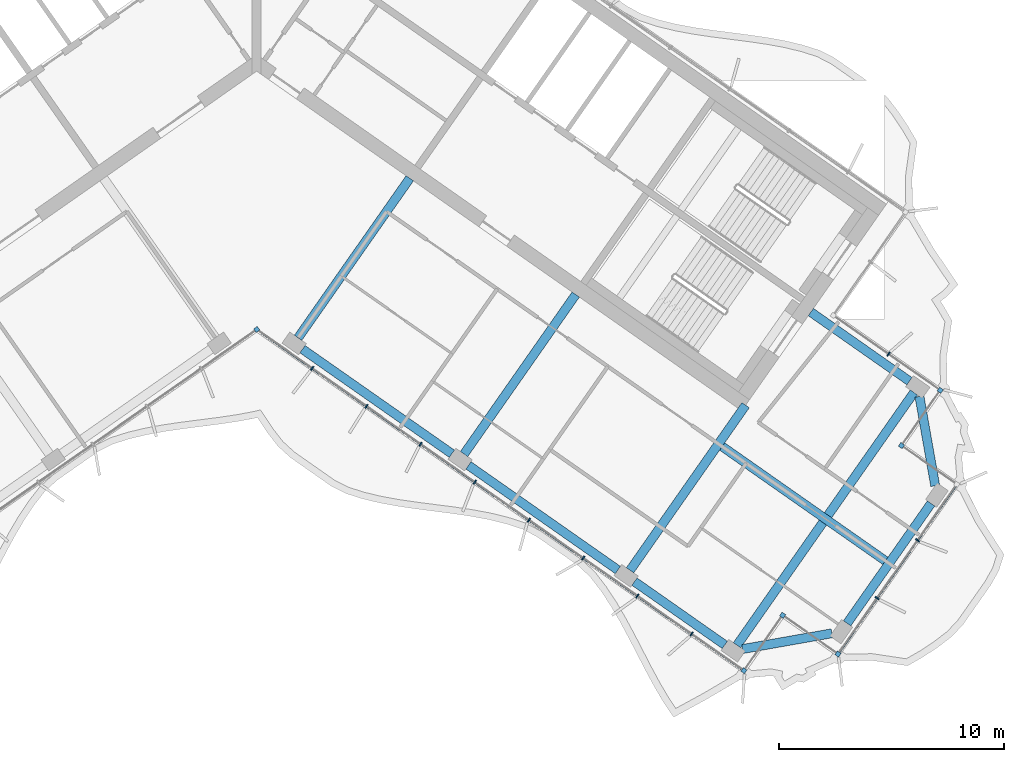
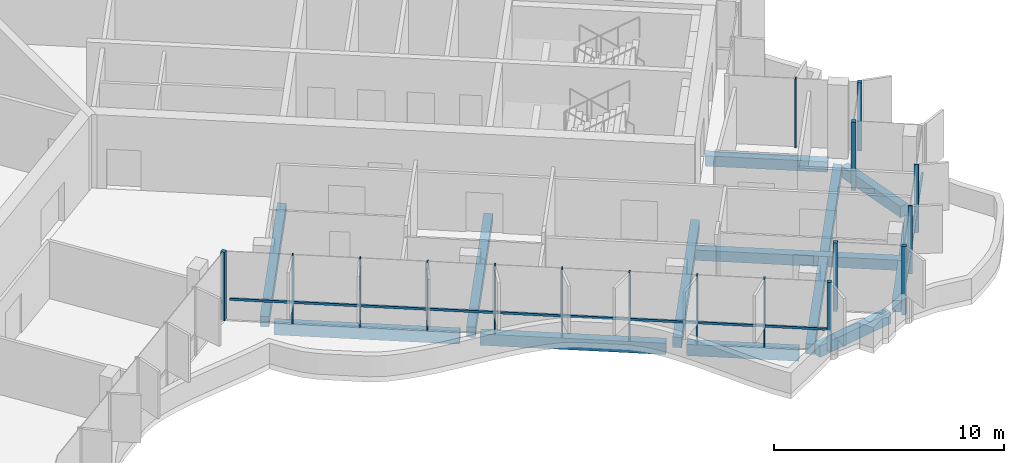
# One storey, part 4 of 18: 19 members, 12 beams, 1 element without a shape of its own.
"""IFC4 building model written with IfcOpenShell, lengths in metres."""

from ifc_helpers import new_model, si_unit, direction, frame, origin, origin_2d, place, context, subcontext, project, spatial, rectangle, extrude, material, material_profile, profile_set, type_object, element, aggregate, save


model = new_model("IFC4")

# Units and contexts
model_context = context("Model", 3, precision=1e-05, world=origin(), true_north=direction((0.0, 1.0)))
body_context = subcontext(model_context, "Body", "Model", "MODEL_VIEW")
ifc_project = project(units=[si_unit("LENGTHUNIT", "METRE"), si_unit("AREAUNIT", "SQUARE_METRE"), si_unit("VOLUMEUNIT", "CUBIC_METRE"), si_unit("PLANEANGLEUNIT", "RADIAN"), si_unit("MASSUNIT", "GRAM", prefix="KILO")], contexts=[model_context])

# Site, building, storey
site_placement = place(None, origin())
site = spatial("IfcSite", under=ifc_project, at=site_placement, CompositionType="ELEMENT")
building_placement = place(site_placement, origin())
building = spatial("IfcBuilding", under=site, at=building_placement, Name="Tel Ilan Convention Tower", CompositionType="ELEMENT")
storey_placement = place(building_placement, frame((0.0, 0.0, 260.5)))
storey = spatial("IfcBuildingStorey", under=building, at=storey_placement, Name="L61", CompositionType="ELEMENT", Elevation=260.5)

# Beams
ifc_material_1 = material(Name="Concrete C40/50", Category="concrete")
ifc_material_profile_1 = material_profile(ifc_material_1, rectangle(XDim=0.39990234375, YDim=0.550048828125, at=origin_2d()), Name="RC 400x550")
ifc_profile_set_1 = profile_set([ifc_material_profile_1], Name="Concrete C40/50")
beam_type_1 = type_object("IfcBeamType", Name="Beam RC 400x550 Concrete C40/50", PredefinedType="BEAM", material=ifc_profile_set_1)
beam_1_placement = place(storey_placement, frame((28.99462890625, -14.991943359375, -0.554931640625), z_axis=(-0.819146154531, 0.573584847705, 0.0), x_axis=(-0.573584847705, -0.819146154531, 0.0)))
element("IfcBeam", 1, at=beam_1_placement, inside=storey, type_object=beam_type_1, Name="L61 beam E-E-BC-core", PredefinedType="BEAM", context=body_context, shape_type="SweptSolid", body=[
    extrude(rectangle(XDim=0.39990234375, YDim=0.550048828125, at=origin_2d()), origin(), (0.0, 0.0, 1.0), 5.349853515625),
])
for number, where, z_axis, x_axis, name in (
    (2, (1.83740234375, -13.06689453125, -0.554931640625), (0.573574099654, 0.819153680457, 0.0), (-0.819153680457, 0.573574099654, 0.0), "L61 beam E-E-F1-core"),
    (3, (9.209716796875, -18.229248046875, -0.554931640625), (0.573574099654, 0.819153680457, 0.0), (-0.819153680457, 0.573574099654, 0.0), "L61 beam E-E-F2-core"),
):
    element("IfcBeam", number, at=place(storey_placement, frame(where, z_axis=z_axis, x_axis=x_axis)), inside=storey, type_object=beam_type_1, Name=name, PredefinedType="BEAM", context=body_context, shape_type="SweptSolid", body=[
        extrude(rectangle(XDim=0.39990234375, YDim=0.550048828125, at=origin_2d()), origin(), (0.0, 0.0, 1.0), 8.64990234375),
    ])
beam_2_placement = place(storey_placement, frame((16.58203125, -23.391357421875, -0.554931640625), z_axis=(0.573584999642, 0.819146048141, 0.0), x_axis=(-0.819146048141, 0.573584999642, 0.0)))
element("IfcBeam", 4, at=beam_2_placement, inside=storey, type_object=beam_type_1, Name="L61 beam E-E-F3-core", PredefinedType="BEAM", context=body_context, shape_type="SweptSolid", body=[
    extrude(rectangle(XDim=0.39990234375, YDim=0.550048828125, at=origin_2d()), origin(), (0.0, 0.0, 1.0), 8.949951171875),
])
beam_3_placement = place(storey_placement, frame((20.6748046875, -17.89501953125, -0.554931640625), z_axis=(0.819162208319, -0.573561920338, 0.0), x_axis=(0.573561920338, 0.819162208319, 0.0)))
element("IfcBeam", 5, at=beam_3_placement, inside=storey, type_object=beam_type_1, Name="L61 beam E-core-end", PredefinedType="BEAM", context=body_context, shape_type="SweptSolid", body=[
    extrude(rectangle(XDim=0.39990234375, YDim=0.550048828125, at=origin_2d()), origin(), (0.0, 0.0, 1.0), 9.0498046875),
])
beam_4_placement = place(storey_placement, frame((21.333251953125, -26.718017578125, -0.554931640625), z_axis=(0.57357117602, 0.819155727587, 0.0), x_axis=(-0.819155727587, 0.57357117602, 0.0)))
element("IfcBeam", 6, at=beam_4_placement, inside=storey, type_object=beam_type_1, Name="L61 beam E-E-FC-E-BC", PredefinedType="BEAM", context=body_context, shape_type="SweptSolid", body=[
    extrude(rectangle(XDim=0.39990234375, YDim=0.550048828125, at=origin_2d()), origin(), (0.0, 0.0, 1.0), 13.699951171875),
])
ifc_material_2 = material(Name="Concrete C40/50", Category="concrete")
ifc_material_profile_2 = material_profile(ifc_material_2, rectangle(XDim=0.39990234375, YDim=0.60009765625, at=origin_2d()), Name="RC 400x600")
ifc_profile_set_2 = profile_set([ifc_material_profile_2], Name="Concrete C40/50")
beam_type_2 = type_object("IfcBeamType", Name="Beam RC 400x600 Concrete C40/50", PredefinedType="BEAM", material=ifc_profile_set_2)
beam_5_placement = place(storey_placement, frame((2.033935546875, -13.57080078125, -0.580078125), z_axis=(0.81914553362, -0.573585734437, 0.0), x_axis=(0.573585734437, 0.81914553362, 0.0)))
element("IfcBeam", 7, at=beam_5_placement, inside=storey, type_object=beam_type_2, Name="L61 beam E-E-F1-E-F2", PredefinedType="BEAM", context=body_context, shape_type="SweptSolid", body=[
    extrude(rectangle(XDim=0.39990234375, YDim=0.60009765625, at=origin_2d()), origin(), (0.0, 0.0, 1.0), 8.099853515625),
])
beam_6_placement = place(storey_placement, frame((9.40625, -18.73291015625, -0.580078125), z_axis=(0.819155449703, -0.573571572885, 0.0), x_axis=(0.573571572885, 0.819155449703, 0.0)))
element("IfcBeam", 8, at=beam_6_placement, inside=storey, type_object=beam_type_2, Name="L61 beam E-E-F2-E-F3", PredefinedType="BEAM", context=body_context, shape_type="SweptSolid", body=[
    extrude(rectangle(XDim=0.39990234375, YDim=0.60009765625, at=origin_2d()), origin(), (0.0, 0.0, 1.0), 8.10009765625),
])
beam_7_placement = place(storey_placement, frame((16.778564453125, -23.895263671875, -0.580078125), z_axis=(0.819154669329, -0.573572687386, 0.0), x_axis=(0.573572687386, 0.819154669329, 0.0)))
element("IfcBeam", 9, at=beam_7_placement, inside=storey, type_object=beam_type_2, Name="L61 beam E-E-F3-E-FC", PredefinedType="BEAM", context=body_context, shape_type="SweptSolid", body=[
    extrude(rectangle(XDim=0.39990234375, YDim=0.60009765625, at=origin_2d()), origin(), (0.0, 0.0, 1.0), 4.900146484375),
])
beam_8_placement = place(storey_placement, frame((21.578857421875, -26.89013671875, -0.580078125), z_axis=(0.984804894423, 0.173664388751, 0.0), x_axis=(-0.173664388751, 0.984804894423, 0.0)))
element("IfcBeam", 10, at=beam_8_placement, inside=storey, type_object=beam_type_2, Name="L61 beam E-E-FC-E-E1", PredefinedType="BEAM", context=body_context, shape_type="SweptSolid", body=[
    extrude(rectangle(XDim=0.39990234375, YDim=0.60009765625, at=origin_2d()), origin(), (0.0, 0.0, 1.0), 4.030517578125),
])
beam_9_placement = place(storey_placement, frame((26.22412109375, -25.748046875, -0.580078125), z_axis=(0.573580816643, 0.819148977158, 0.0), x_axis=(-0.819148977158, 0.573580816643, 0.0)))
element("IfcBeam", 11, at=beam_9_placement, inside=storey, type_object=beam_type_2, Name="L61 beam E-E-E1-E-E2", PredefinedType="BEAM", context=body_context, shape_type="SweptSolid", body=[
    extrude(rectangle(XDim=0.39990234375, YDim=0.60009765625, at=origin_2d()), origin(), (0.0, 0.0, 1.0), 6.5),
])
beam_10_placement = place(storey_placement, frame((30.13671875, -19.63720703125, -0.580078125), z_axis=(-0.173595285393, 0.984817077883, 0.0), x_axis=(-0.984817077883, -0.173595285393, 0.0)))
element("IfcBeam", 12, at=beam_10_placement, inside=storey, type_object=beam_type_2, Name="L61 beam E-E-E2-E-BC", PredefinedType="BEAM", context=body_context, shape_type="SweptSolid", body=[
    extrude(rectangle(XDim=0.39990234375, YDim=0.60009765625, at=origin_2d()), origin(), (0.0, 0.0, 1.0), 4.03076171875),
])

# Curtain wall, members
ifc_material_3 = material(Name="Aluminium, bronze anodised", Category="aluminium")
curtain_wall_type = type_object("IfcCurtainWallType", Name="CW5 STICK CURTAIN WALL, UPPER OFFICE LOW-IRON TINTED GLASS", PredefinedType="NOTDEFINED", material=ifc_material_3)
curtain_wall_placement = place(storey_placement, origin())
curtain_wall = element("IfcCurtainWall", 13, at=curtain_wall_placement, inside=storey, type_object=curtain_wall_type, Name="Curtain wall CW5-46.02", PredefinedType="NOTDEFINED")
ifc_material_4 = material(Name="Aluminium, bronze anodised", Category="aluminium")
ifc_material_profile_3 = material_profile(ifc_material_4, rectangle(XDim=0.199951171875, YDim=0.199951171875, at=origin_2d()), Name="CW CORNER MULLION 200x200")
ifc_profile_set_3 = profile_set([ifc_material_profile_3], Name="Aluminium, bronze anodised")
member_type_1 = type_object("IfcMemberType", Name="CW CORNER MULLION 200x200", PredefinedType="MULLION", material=ifc_profile_set_3)
member_1_placement = place(storey_placement, frame((0.0, -12.696044921875, 0.0), z_axis=(0.0, 0.0, 1.0), x_axis=(0.819152044289, 0.573576436351, 0.0)))
member_1 = element("IfcMember", 14, at=member_1_placement, type_object=member_type_1, Name="Corner mullion", PredefinedType="MULLION", context=body_context, shape_type="SweptSolid", body=[
    extrude(rectangle(XDim=0.199951171875, YDim=0.199951171875, at=origin_2d()), origin(), (0.0, 0.0, 1.0), 3.6201171875),
])
member_2_placement = place(storey_placement, frame((21.64013671875, -27.8486328125, 0.0), z_axis=(0.0, 0.0, 1.0), x_axis=(0.819152044289, -0.573576436351, 0.0)))
member_2 = element("IfcMember", 15, at=member_2_placement, type_object=member_type_1, Name="Corner mullion", PredefinedType="MULLION", context=body_context, shape_type="SweptSolid", body=[
    extrude(rectangle(XDim=0.199951171875, YDim=0.199951171875, at=origin_2d()), origin(), (0.0, 0.0, 1.0), 3.6201171875),
])
member_3_placement = place(storey_placement, frame((23.36083984375, -25.391357421875, 0.0), z_axis=(0.0, 0.0, 1.0), x_axis=(0.573576436351, 0.819152044289, 0.0)))
member_3 = element("IfcMember", 16, at=member_3_placement, type_object=member_type_1, Name="Corner mullion", PredefinedType="MULLION", context=body_context, shape_type="SweptSolid", body=[
    extrude(rectangle(XDim=0.199951171875, YDim=0.199951171875, at=origin_2d()), origin(), (0.0, 0.0, 1.0), 3.6201171875),
])
member_4_placement = place(storey_placement, frame((25.818359375, -27.112060546875, 0.0), z_axis=(0.0, 0.0, 1.0), x_axis=(0.819152044289, -0.573576436351, 0.0)))
member_4 = element("IfcMember", 17, at=member_4_placement, type_object=member_type_1, Name="Corner mullion", PredefinedType="MULLION", context=body_context, shape_type="SweptSolid", body=[
    extrude(rectangle(XDim=0.199951171875, YDim=0.199951171875, at=origin_2d()), origin(), (0.0, 0.0, 1.0), 3.6201171875),
])
member_5_placement = place(storey_placement, frame((28.637939453125, -17.85498046875, 0.0), z_axis=(0.0, 0.0, 1.0), x_axis=(-0.819152044289, 0.573576436351, 0.0)))
member_5 = element("IfcMember", 18, at=member_5_placement, type_object=member_type_1, Name="Corner mullion", PredefinedType="MULLION", context=body_context, shape_type="SweptSolid", body=[
    extrude(rectangle(XDim=0.199951171875, YDim=0.199951171875, at=origin_2d()), origin(), (0.0, 0.0, 1.0), 3.6201171875),
])
member_6_placement = place(storey_placement, frame((30.358642578125, -15.397705078125, 0.0), z_axis=(0.0, 0.0, 1.0), x_axis=(0.573576436351, 0.819152044289, 0.0)))
member_6 = element("IfcMember", 19, at=member_6_placement, type_object=member_type_1, Name="Corner mullion", PredefinedType="MULLION", context=body_context, shape_type="SweptSolid", body=[
    extrude(rectangle(XDim=0.199951171875, YDim=0.199951171875, at=origin_2d()), origin(), (0.0, 0.0, 1.0), 3.6201171875),
])
ifc_material_5 = material(Name="Aluminium, bronze anodised", Category="aluminium")
ifc_material_profile_4 = material_profile(ifc_material_5, rectangle(XDim=0.06005859375, YDim=0.199951171875, at=origin_2d()), Name="CW MULLION 60x200")
ifc_profile_set_4 = profile_set([ifc_material_profile_4], Name="Aluminium, bronze anodised")
member_type_2 = type_object("IfcMemberType", Name="CW MULLION 60x200", PredefinedType="MULLION", material=ifc_profile_set_4)
member_7_placement = place(storey_placement, frame((2.464599609375, -14.421875, 0.0), z_axis=(0.0, 0.0, 1.0), x_axis=(0.819152044289, -0.573576436351, 0.0)))
member_7 = element("IfcMember", 20, at=member_7_placement, type_object=member_type_2, Name="Mullion", PredefinedType="MULLION", context=body_context, shape_type="SweptSolid", body=[
    extrude(rectangle(XDim=0.06005859375, YDim=0.199951171875, at=origin_2d()), origin(), (0.0, 0.0, 1.0), 3.6201171875),
])
member_8_placement = place(storey_placement, frame((4.871826171875, -16.107177734375, 0.0), z_axis=(0.0, 0.0, 1.0), x_axis=(0.819152044289, -0.573576436351, 0.0)))
member_8 = element("IfcMember", 21, at=member_8_placement, type_object=member_type_2, Name="Mullion", PredefinedType="MULLION", context=body_context, shape_type="SweptSolid", body=[
    extrude(rectangle(XDim=0.06005859375, YDim=0.199951171875, at=origin_2d()), origin(), (0.0, 0.0, 1.0), 3.6201171875),
])
member_9_placement = place(storey_placement, frame((7.279052734375, -17.792724609375, 0.0), z_axis=(0.0, 0.0, 1.0), x_axis=(0.819152044289, -0.573576436351, 0.0)))
member_9 = element("IfcMember", 22, at=member_9_placement, type_object=member_type_2, Name="Mullion", PredefinedType="MULLION", context=body_context, shape_type="SweptSolid", body=[
    extrude(rectangle(XDim=0.06005859375, YDim=0.199951171875, at=origin_2d()), origin(), (0.0, 0.0, 1.0), 3.6201171875),
])
member_10_placement = place(storey_placement, frame((9.68603515625, -19.478271484375, 0.0), z_axis=(0.0, 0.0, 1.0), x_axis=(0.819152044289, -0.573576436351, 0.0)))
member_10 = element("IfcMember", 23, at=member_10_placement, type_object=member_type_2, Name="Mullion", PredefinedType="MULLION", context=body_context, shape_type="SweptSolid", body=[
    extrude(rectangle(XDim=0.06005859375, YDim=0.199951171875, at=origin_2d()), origin(), (0.0, 0.0, 1.0), 3.6201171875),
])
member_11_placement = place(storey_placement, frame((12.09326171875, -21.163818359375, 0.0), z_axis=(0.0, 0.0, 1.0), x_axis=(0.819152044289, -0.573576436351, 0.0)))
member_11 = element("IfcMember", 24, at=member_11_placement, type_object=member_type_2, Name="Mullion", PredefinedType="MULLION", context=body_context, shape_type="SweptSolid", body=[
    extrude(rectangle(XDim=0.06005859375, YDim=0.199951171875, at=origin_2d()), origin(), (0.0, 0.0, 1.0), 3.6201171875),
])
member_12_placement = place(storey_placement, frame((14.50048828125, -22.849365234375, 0.0), z_axis=(0.0, 0.0, 1.0), x_axis=(0.819152044289, -0.573576436351, 0.0)))
member_12 = element("IfcMember", 25, at=member_12_placement, type_object=member_type_2, Name="Mullion", PredefinedType="MULLION", context=body_context, shape_type="SweptSolid", body=[
    extrude(rectangle(XDim=0.06005859375, YDim=0.199951171875, at=origin_2d()), origin(), (0.0, 0.0, 1.0), 3.6201171875),
])
member_13_placement = place(storey_placement, frame((16.90771484375, -24.534912109375, 0.0), z_axis=(0.0, 0.0, 1.0), x_axis=(0.819152044289, -0.573576436351, 0.0)))
member_13 = element("IfcMember", 26, at=member_13_placement, type_object=member_type_2, Name="Mullion", PredefinedType="MULLION", context=body_context, shape_type="SweptSolid", body=[
    extrude(rectangle(XDim=0.06005859375, YDim=0.199951171875, at=origin_2d()), origin(), (0.0, 0.0, 1.0), 3.6201171875),
])
member_14_placement = place(storey_placement, frame((19.31494140625, -26.220458984375, 0.0), z_axis=(0.0, 0.0, 1.0), x_axis=(0.819152044289, -0.573576436351, 0.0)))
member_14 = element("IfcMember", 27, at=member_14_placement, type_object=member_type_2, Name="Mullion", PredefinedType="MULLION", context=body_context, shape_type="SweptSolid", body=[
    extrude(rectangle(XDim=0.06005859375, YDim=0.199951171875, at=origin_2d()), origin(), (0.0, 0.0, 1.0), 3.6201171875),
])
member_15_placement = place(storey_placement, frame((27.558349609375, -24.627197265625, 0.0), z_axis=(0.0, 0.0, 1.0), x_axis=(0.573576436351, 0.819152044289, 0.0)))
member_15 = element("IfcMember", 28, at=member_15_placement, type_object=member_type_2, Name="Mullion", PredefinedType="MULLION", context=body_context, shape_type="SweptSolid", body=[
    extrude(rectangle(XDim=0.06005859375, YDim=0.199951171875, at=origin_2d()), origin(), (0.0, 0.0, 1.0), 3.6201171875),
])
member_16_placement = place(storey_placement, frame((29.35546875, -22.060546875, 0.0), z_axis=(0.0, 0.0, 1.0), x_axis=(0.573576436351, 0.819152044289, 0.0)))
member_16 = element("IfcMember", 29, at=member_16_placement, type_object=member_type_2, Name="Mullion", PredefinedType="MULLION", context=body_context, shape_type="SweptSolid", body=[
    extrude(rectangle(XDim=0.06005859375, YDim=0.199951171875, at=origin_2d()), origin(), (0.0, 0.0, 1.0), 3.6201171875),
])
member_17_placement = place(storey_placement, frame((28.06494140625, -13.79150390625, 0.0), z_axis=(0.0, 0.0, 1.0), x_axis=(-0.819152044289, 0.573576436351, 0.0)))
member_17 = element("IfcMember", 30, at=member_17_placement, type_object=member_type_2, Name="Mullion", PredefinedType="MULLION", context=body_context, shape_type="SweptSolid", body=[
    extrude(rectangle(XDim=0.06005859375, YDim=0.199951171875, at=origin_2d()), origin(), (0.0, 0.0, 1.0), 3.6201171875),
])
ifc_material_6 = material(Name="Aluminium, bronze anodised", Category="aluminium")
ifc_material_profile_5 = material_profile(ifc_material_6, rectangle(XDim=0.10009765625, YDim=0.1201171875, at=origin_2d()), Name="CW TRANSOM 100x120")
ifc_profile_set_5 = profile_set([ifc_material_profile_5], Name="Aluminium, bronze anodised")
member_type_3 = type_object("IfcMemberType", Name="CW TRANSOM 100x120", PredefinedType="USERDEFINED", material=ifc_profile_set_5)
member_18_placement = place(storey_placement, frame((0.22119140625, -12.850830078125, 1.10009765625), z_axis=(0.819152212587, -0.573576195996, 0.0), x_axis=(0.573576195996, 0.819152212587, 0.0)))
member_18 = element("IfcMember", 31, at=member_18_placement, type_object=member_type_3, Name="Transom", ObjectType="TRANSOM", PredefinedType="USERDEFINED", context=body_context, shape_type="SweptSolid", body=[
    extrude(rectangle(XDim=0.10009765625, YDim=0.1201171875, at=origin_2d()), origin(), (0.0, 0.0, 1.0), 26.0478515625),
])
member_19_placement = place(storey_placement, frame((25.875732421875, -27.030029296875, 1.10009765625), z_axis=(0.573573395961, 0.819154173185, 0.0), x_axis=(-0.819154173185, 0.573573395961, 0.0)))
member_19 = element("IfcMember", 32, at=member_19_placement, type_object=member_type_3, Name="Transom", ObjectType="TRANSOM", PredefinedType="USERDEFINED", context=body_context, shape_type="SweptSolid", body=[
    extrude(rectangle(XDim=0.10009765625, YDim=0.1201171875, at=origin_2d()), origin(), (0.0, 0.0, 1.0), 9.0),
])
aggregate(curtain_wall, [member_1, member_7, member_8, member_9, member_10, member_11, member_12, member_13, member_14, member_2, member_18, member_3, member_4, member_15, member_16, member_19, member_5, member_6, member_17])

save(model, "model.ifc")
